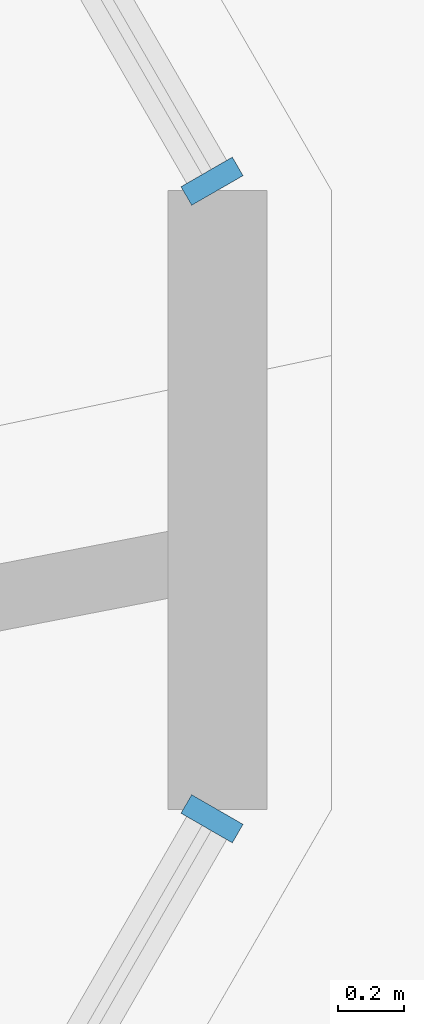
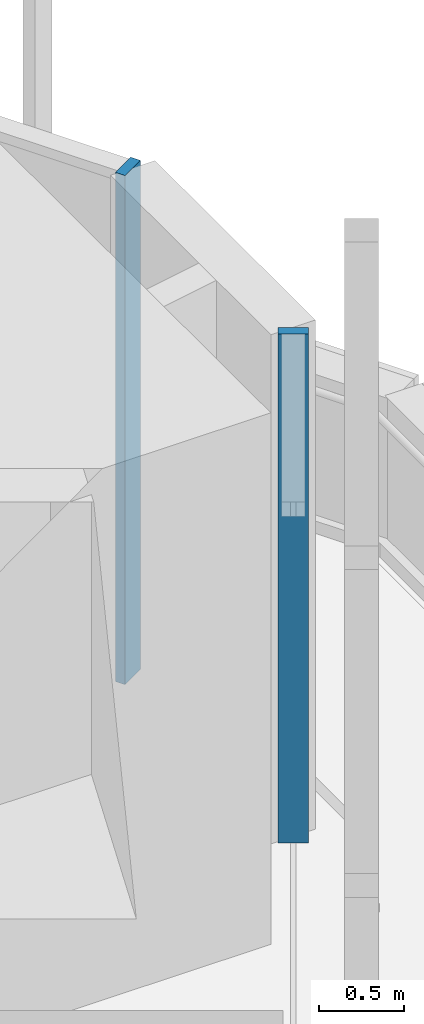
# One storey, part 180 of 238: 2 members, 2 elements without a shape of their own.
"""IFC4 building model written with IfcOpenShell, lengths in metres."""

from ifc_helpers import new_model, si_unit, direction, frame, origin, origin_2d, place, context, subcontext, project, spatial, rectangle, extrude, material, material_profile, profile_set, type_object, element, aggregate, save


model = new_model("IFC4")

# Units and contexts
model_context = context("Model", 3, precision=1e-05, world=origin(), true_north=direction((0.0, 1.0)))
body_context = subcontext(model_context, "Body", "Model", "MODEL_VIEW")
ifc_project = project(units=[si_unit("LENGTHUNIT", "METRE"), si_unit("AREAUNIT", "SQUARE_METRE"), si_unit("VOLUMEUNIT", "CUBIC_METRE"), si_unit("PLANEANGLEUNIT", "RADIAN"), si_unit("MASSUNIT", "GRAM", prefix="KILO")], contexts=[model_context])

# Site, building, storey
site_placement = place(None, origin())
site = spatial("IfcSite", under=ifc_project, at=site_placement, CompositionType="ELEMENT")
building_placement = place(site_placement, origin())
building = spatial("IfcBuilding", under=site, at=building_placement, Name="Sandreach Pilgrim Tower", CompositionType="ELEMENT")
storey_placement = place(building_placement, frame((0.0, 0.0, 96.800048828125)))
storey = spatial("IfcBuildingStorey", under=building, at=storey_placement, Name="L23", CompositionType="ELEMENT", Elevation=96.800048828125)

# Curtain wall, member
ifc_material_1 = material(Name="Aluminium framed curtain wall", Category="aluminium")
curtain_wall_type = type_object("IfcCurtainWallType", Name="Hotel tower curtain wall", PredefinedType="NOTDEFINED", material=ifc_material_1)
curtain_wall_1_placement = place(storey_placement, origin())
curtain_wall_1 = element("IfcCurtainWall", 1, at=curtain_wall_1_placement, inside=storey, type_object=curtain_wall_type, Name="CW-2 L23 NE", PredefinedType="NOTDEFINED")
ifc_material_2 = material(Name="Aluminium extrusion", Category="aluminium")
ifc_material_profile = material_profile(ifc_material_2, rectangle(XDim=0.06494140625, YDim=0.179931640625, at=origin_2d()), Name="CW-2M 65X180")
ifc_profile_set = profile_set([ifc_material_profile], Name="Aluminium extrusion")
member_type = type_object("IfcMemberType", Name="CW-2 mullion", PredefinedType="MULLION", material=ifc_profile_set)
member_1_placement = place(storey_placement, frame((28.70458984375, 6.66650390625, 0.0), z_axis=(0.0, 0.0, 1.0), x_axis=(0.5, -0.866025403784, 0.0)))
member_1 = element("IfcMember", 2, at=member_1_placement, type_object=member_type, Name="CW-2 mullion 5", PredefinedType="MULLION", context=body_context, shape_type="SweptSolid", body=[
    extrude(rectangle(XDim=0.06494140625, YDim=0.179931640625, at=origin_2d()), origin(), (0.0, 0.0, 1.0), 3.639892578125),
])
aggregate(curtain_wall_1, [member_1])

curtain_wall_2_placement = place(storey_placement, origin())
curtain_wall_2 = element("IfcCurtainWall", 3, at=curtain_wall_2_placement, inside=storey, type_object=curtain_wall_type, Name="CW-2 L23 SE", PredefinedType="NOTDEFINED")
member_2_placement = place(storey_placement, frame((28.70458984375, 4.730224609375, 0.0), z_axis=(0.0, 0.0, 1.0), x_axis=(-0.5, -0.866025403784, 0.0)))
member_2 = element("IfcMember", 4, at=member_2_placement, type_object=member_type, Name="CW-2 mullion 1", PredefinedType="MULLION", context=body_context, shape_type="SweptSolid", body=[
    extrude(rectangle(XDim=0.06494140625, YDim=0.179931640625, at=origin_2d()), origin(), (0.0, 0.0, 1.0), 3.639892578125),
])
aggregate(curtain_wall_2, [member_2])

save(model, "model.ifc")
